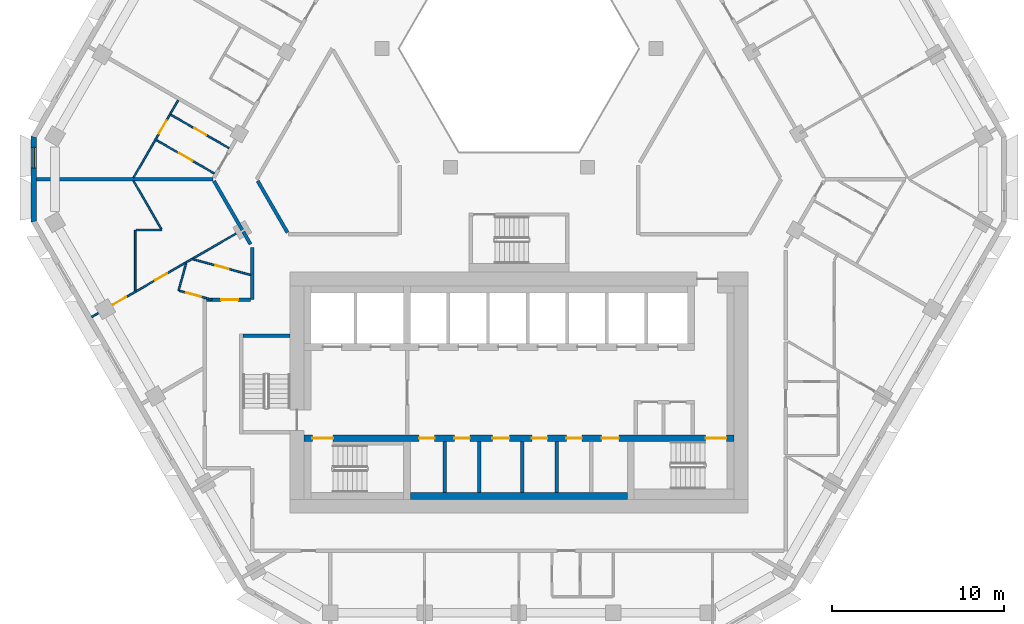
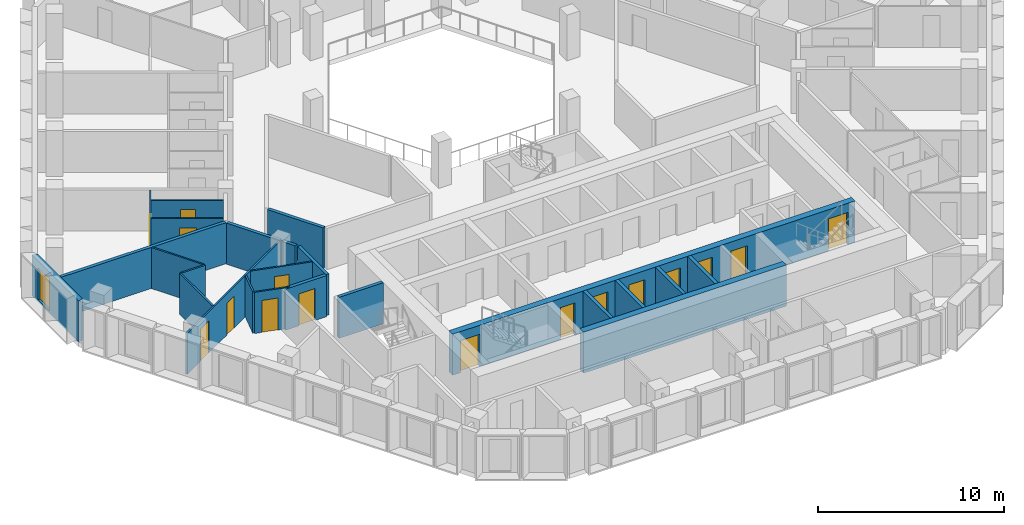
# One storey, part 4 of 15: 24 walls, 16 doors, 1 window, 17 openings.
"""IFC4 building model written with IfcOpenShell, lengths in metres."""

from ifc_helpers import new_model, si_unit, direction, frame, frame_2d, origin, place, context, subcontext, project, spatial, polyline, rectangle, outline, extrude, material, layer, layer_set, type_object, element, fill, save


model = new_model("IFC4")

# Units and contexts
model_context = context("Model", 3, precision=1e-05, world=origin(), true_north=direction((0.0, 1.0)))
body_context = subcontext(model_context, "Body", "Model", "MODEL_VIEW")
ifc_project = project(units=[si_unit("LENGTHUNIT", "METRE"), si_unit("AREAUNIT", "SQUARE_METRE"), si_unit("VOLUMEUNIT", "CUBIC_METRE"), si_unit("PLANEANGLEUNIT", "RADIAN"), si_unit("MASSUNIT", "GRAM", prefix="KILO")], contexts=[model_context])

# Site, building, storey
site_placement = place(None, origin())
site = spatial("IfcSite", under=ifc_project, at=site_placement, CompositionType="ELEMENT")
building_placement = place(site_placement, origin())
building = spatial("IfcBuilding", under=site, at=building_placement, Name="Beryl Residences", CompositionType="ELEMENT")
storey_placement = place(building_placement, frame((0.0, 0.0, 141.60009765625)))
storey = spatial("IfcBuildingStorey", under=building, at=storey_placement, Name="L43", CompositionType="ELEMENT", Elevation=141.60009765625)

# Wall, opening, window
ifc_material_1 = material(Name="Composite metal panel with mineral wool insulation")
ifc_layer_1 = layer(ifc_material_1, 0.300048828125)
ifc_layer_set_1 = layer_set([ifc_layer_1], Name="ES1 pale metal composite panel wall 300 mm")
wall_type_1 = type_object("IfcWallType", Name="ES1 pale metal composite panel wall 300 mm", PredefinedType="SOLIDWALL", material=ifc_layer_set_1)
wall_1_placement = place(storey_placement, frame((-28.197998046875, 2.89990234375, 0.0), z_axis=(0.0, 0.0, 1.0), x_axis=(0.0, -1.0, 0.0)))
wall_1 = element("IfcWall", 1, at=wall_1_placement, inside=storey, type_object=wall_type_1, Name="ES1 external wall L43 NW-SW", PredefinedType="SOLIDWALL", context=body_context, shape_type="SweptSolid", body=[
    extrude(outline(polyline([(0.0, -0.14990234375), (5.0, -0.14990234375), (4.919677734375, 0.14990234375), (0.080322265625, 0.14990234375), (0.0, -0.14990234375)])), origin(), (0.0, 0.0, 1.0), 2.699951171875),
])
opening_1_placement = place(wall_1_placement, frame((0.64990234375, 0.0, 0.14990234375)))
opening_1 = element("IfcOpeningElement", 2, at=opening_1_placement, cuts=wall_1, Name="Opening W2", PredefinedType="OPENING", context=body_context, shape_type="SweptSolid", body=[
    extrude(rectangle(XDim=1.199951171875, YDim=2.10009765625, at=frame_2d((0.60009765625, 1.050048828125))), frame((0.0, 0.159912109375, 0.0), z_axis=(0.0, -1.0, 0.0), x_axis=(1.0, 0.0, 0.0)), (0.0, 0.0, 1.0), 0.320068359375),
])
ifc_material_2 = material(Name="Aluminium and clear glass", Category="aluminium")
window_type = type_object("IfcWindowType", Name="W2 chamfer window 1200 x 2100 mm", PartitioningType="SINGLE_PANEL", PredefinedType="WINDOW", material=ifc_material_2)
window_placement = place(opening_1_placement, origin())
window = element("IfcWindow", 3, at=window_placement, inside=storey, type_object=window_type, Name="W2 window L43 NW-SW 1", OverallHeight=2.10009765625, OverallWidth=1.199951171875, PartitioningType="SINGLE_PANEL", PredefinedType="WINDOW", context=body_context, shape_type="SweptSolid", body=[
    extrude(rectangle(XDim=1.199951171875, YDim=2.10009765625, at=frame_2d((0.60009765625, 1.050048828125))), frame((0.0, 0.030029296875, 0.0), z_axis=(0.0, -1.0, 0.0), x_axis=(1.0, 0.0, 0.0)), (0.0, 0.0, 1.0), 0.06005859375),
])
fill(opening_1, window)

# Wall
ifc_material_3 = material(Name="Gypsum board partition on steel studs", Category="steel")
ifc_layer_2 = layer(ifc_material_3, 0.10009765625)
ifc_layer_set_2 = layer_set([ifc_layer_2], Name="PT1 partition 100 mm gypsum board on steel studs")
wall_type_2 = type_object("IfcWallType", Name="PT1 partition 100 mm gypsum board on steel studs", PredefinedType="PARTITIONING", material=ifc_layer_set_2)
wall_2_placement = place(storey_placement, frame((-22.39794921875, 0.299072265625, 0.0), z_axis=(0.0, 0.0, 1.0), x_axis=(0.50004249738, -0.86600086652, 0.0)))
element("IfcWall", 4, at=wall_2_placement, inside=storey, type_object=wall_type_2, Name="Wall PT1 L43 002", PredefinedType="PARTITIONING", context=body_context, shape_type="SweptSolid", body=[
    extrude(rectangle(XDim=3.235595703125, YDim=0.10009765625, at=frame_2d((1.61767578125, 0.0))), origin(), (0.0, 0.0, 1.0), 2.699951171875),
])

# Wall, opening, door
wall_3_placement = place(storey_placement, frame((-18.930908203125, -4.2529296875, 0.0), z_axis=(0.0, 0.0, 1.0), x_axis=(0.96479645258, -0.262997728296, 0.0)))
wall_3 = element("IfcWall", 5, at=wall_3_placement, inside=storey, type_object=wall_type_2, Name="Wall PT1 L43 007", PredefinedType="PARTITIONING", context=body_context, shape_type="SweptSolid", body=[
    extrude(rectangle(XDim=3.452392578125, YDim=0.10009765625, at=frame_2d((1.72607421875, 0.0))), origin(), (0.0, 0.0, 1.0), 2.699951171875),
])
opening_2_placement = place(wall_3_placement, frame((1.343017578125, 0.0, 0.0)))
opening_2 = element("IfcOpeningElement", 6, at=opening_2_placement, cuts=wall_3, Name="Opening D1349", PredefinedType="OPENING", context=body_context, shape_type="SweptSolid", body=[
    extrude(rectangle(XDim=0.800048828125, YDim=2.10009765625, at=frame_2d((0.39990234375, 1.050048828125))), frame((0.0, 0.06005859375, 0.0), z_axis=(0.0, -1.0, 0.0), x_axis=(1.0, 0.0, 0.0)), (0.0, 0.0, 1.0), 0.1201171875),
])
ifc_material_4 = material(Name="Timber door leaf", Category="wood")
door_type_1 = type_object("IfcDoorType", Name="D3 bathroom door 800 x 2100 mm", OperationType="SINGLE_SWING_LEFT", PredefinedType="DOOR", material=ifc_material_4)
door_1_placement = place(opening_2_placement, origin())
door_1 = element("IfcDoor", 7, at=door_1_placement, inside=storey, type_object=door_type_1, Name="Door D1349 L43 001", OperationType="SINGLE_SWING_LEFT", OverallHeight=2.10009765625, OverallWidth=0.800048828125, PredefinedType="DOOR", context=body_context, shape_type="SweptSolid", body=[
    extrude(rectangle(XDim=0.800048828125, YDim=2.10009765625, at=frame_2d((0.39990234375, 1.050048828125))), frame((0.0, 0.02490234375, 0.0), z_axis=(0.0, -1.0, 0.0), x_axis=(1.0, 0.0, 0.0)), (0.0, 0.0, 1.0), 0.050048828125),
])
fill(opening_2, door_1)

wall_4_placement = place(storey_placement, frame((-19.72998046875, -6.0869140625, 0.0), z_axis=(0.0, 0.0, 1.0), x_axis=(0.964700186442, -0.263350622325, 0.0)))
wall_4 = element("IfcWall", 8, at=wall_4_placement, inside=storey, type_object=wall_type_2, Name="Wall PT1 L43 008", PredefinedType="PARTITIONING", context=body_context, shape_type="SweptSolid", body=[
    extrude(rectangle(XDim=1.94873046875, YDim=0.10009765625, at=frame_2d((0.974365234375, 0.0))), origin(), (0.0, 0.0, 1.0), 2.699951171875),
])
opening_3_placement = place(wall_4_placement, frame((0.39892578125, 0.0, 0.0)))
opening_3 = element("IfcOpeningElement", 9, at=opening_3_placement, cuts=wall_4, Name="Opening D1350", PredefinedType="OPENING", context=body_context, shape_type="SweptSolid", body=[
    extrude(rectangle(XDim=0.89990234375, YDim=2.10009765625, at=frame_2d((0.449951171875, 1.050048828125))), frame((0.0, 0.06005859375, 0.0), z_axis=(0.0, -1.0, 0.0), x_axis=(1.0, 0.0, 0.0)), (0.0, 0.0, 1.0), 0.1201171875),
])
ifc_material_5 = material(Name="Timber door leaf", Category="wood")
door_type_2 = type_object("IfcDoorType", Name="D2 room door 900 x 2100 mm", OperationType="SINGLE_SWING_LEFT", PredefinedType="DOOR", material=ifc_material_5)
door_2_placement = place(opening_3_placement, origin())
door_2 = element("IfcDoor", 10, at=door_2_placement, inside=storey, type_object=door_type_2, Name="Door D1350 L43 001", OperationType="SINGLE_SWING_RIGHT", OverallHeight=2.10009765625, OverallWidth=0.89990234375, PredefinedType="DOOR", context=body_context, shape_type="SweptSolid", body=[
    extrude(rectangle(XDim=0.89990234375, YDim=2.10009765625, at=frame_2d((0.449951171875, 1.050048828125))), frame((0.0, 0.02490234375, 0.0), z_axis=(0.0, -1.0, 0.0), x_axis=(1.0, 0.0, 0.0)), (0.0, 0.0, 1.0), 0.050048828125),
])
fill(opening_3, door_2)

wall_5_placement = place(storey_placement, frame((-20.23291015625, 4.14892578125, 0.0), z_axis=(0.0, 0.0, 1.0), x_axis=(0.867293167797, -0.497797711016, 0.0)))
wall_5 = element("IfcWall", 11, at=wall_5_placement, inside=storey, type_object=wall_type_2, Name="Wall PT1 L43 011", PredefinedType="PARTITIONING", context=body_context, shape_type="SweptSolid", body=[
    extrude(rectangle(XDim=3.89697265625, YDim=0.10009765625, at=frame_2d((1.948486328125, 0.0))), origin(), (0.0, 0.0, 1.0), 2.699951171875),
])
opening_4_placement = place(wall_5_placement, frame((1.573974609375, 0.0, 0.0)))
opening_4 = element("IfcOpeningElement", 12, at=opening_4_placement, cuts=wall_5, Name="Opening D1345", PredefinedType="OPENING", context=body_context, shape_type="SweptSolid", body=[
    extrude(rectangle(XDim=0.800048828125, YDim=2.10009765625, at=frame_2d((0.39990234375, 1.050048828125))), frame((0.0, 0.06005859375, 0.0), z_axis=(0.0, -1.0, 0.0), x_axis=(1.0, 0.0, 0.0)), (0.0, 0.0, 1.0), 0.1201171875),
])
door_3_placement = place(opening_4_placement, origin())
door_3 = element("IfcDoor", 13, at=door_3_placement, inside=storey, type_object=door_type_1, Name="Door D1345 L43 001", OperationType="SINGLE_SWING_LEFT", OverallHeight=2.10009765625, OverallWidth=0.800048828125, PredefinedType="DOOR", context=body_context, shape_type="SweptSolid", body=[
    extrude(rectangle(XDim=0.800048828125, YDim=2.10009765625, at=frame_2d((0.39990234375, 1.050048828125))), frame((0.0, 0.02490234375, 0.0), z_axis=(0.0, -1.0, 0.0), x_axis=(1.0, 0.0, 0.0)), (0.0, 0.0, 1.0), 0.050048828125),
])
fill(opening_4, door_3)

wall_6_placement = place(storey_placement, frame((-21.0830078125, 2.677001953125, 0.0), z_axis=(0.0, 0.0, 1.0), x_axis=(0.867308690764, -0.497770664991, 0.0)))
wall_6 = element("IfcWall", 14, at=wall_6_placement, inside=storey, type_object=wall_type_2, Name="Wall PT1 L43 012", PredefinedType="PARTITIONING", context=body_context, shape_type="SweptSolid", body=[
    extrude(rectangle(XDim=3.897216796875, YDim=0.10009765625, at=frame_2d((1.94873046875, 0.0))), origin(), (0.0, 0.0, 1.0), 2.699951171875),
])
opening_5_placement = place(wall_6_placement, frame((1.52392578125, 0.0, 0.0)))
opening_5 = element("IfcOpeningElement", 15, at=opening_5_placement, cuts=wall_6, Name="Opening D1346", PredefinedType="OPENING", context=body_context, shape_type="SweptSolid", body=[
    extrude(rectangle(XDim=0.89990234375, YDim=2.10009765625, at=frame_2d((0.449951171875, 1.050048828125))), frame((0.0, 0.06005859375, 0.0), z_axis=(0.0, -1.0, 0.0), x_axis=(1.0, 0.0, 0.0)), (0.0, 0.0, 1.0), 0.1201171875),
])
door_4_placement = place(opening_5_placement, origin())
door_4 = element("IfcDoor", 16, at=door_4_placement, inside=storey, type_object=door_type_2, Name="Door D1346 L43 001", OperationType="SINGLE_SWING_RIGHT", OverallHeight=2.10009765625, OverallWidth=0.89990234375, PredefinedType="DOOR", context=body_context, shape_type="SweptSolid", body=[
    extrude(rectangle(XDim=0.89990234375, YDim=2.10009765625, at=frame_2d((0.449951171875, 1.050048828125))), frame((0.0, 0.02490234375, 0.0), z_axis=(0.0, -1.0, 0.0), x_axis=(1.0, 0.0, 0.0)), (0.0, 0.0, 1.0), 0.050048828125),
])
fill(opening_5, door_4)

# Wall
wall_7_placement = place(storey_placement, frame((-22.24609375, -2.552978515625, 0.0), z_axis=(0.0, 0.0, 1.0), x_axis=(1.0, 0.0, 0.0)))
element("IfcWall", 17, at=wall_7_placement, inside=storey, type_object=wall_type_2, Name="Wall PT1 L43 024", PredefinedType="PARTITIONING", context=body_context, shape_type="SweptSolid", body=[
    extrude(rectangle(XDim=1.4951171875, YDim=0.10009765625, at=frame_2d((0.74755859375, 0.0))), origin(), (0.0, 0.0, 1.0), 2.699951171875),
])

# Wall, opening, door
wall_8_placement = place(storey_placement, frame((-22.39794921875, 0.4990234375, 0.0), z_axis=(0.0, 0.0, 1.0), x_axis=(0.499984806807, 0.866034175401, 0.0)))
wall_8 = element("IfcWall", 18, at=wall_8_placement, inside=storey, type_object=wall_type_2, Name="Wall PT1 L43 033", PredefinedType="PARTITIONING", context=body_context, shape_type="SweptSolid", body=[
    extrude(rectangle(XDim=5.182373046875, YDim=0.10009765625, at=frame_2d((2.59130859375, 0.0))), origin(), (0.0, 0.0, 1.0), 2.699951171875),
])
opening_6_placement = place(wall_8_placement, frame((2.943115234375, 0.0, 0.0)))
opening_6 = element("IfcOpeningElement", 19, at=opening_6_placement, cuts=wall_8, Name="Opening D1347", PredefinedType="OPENING", context=body_context, shape_type="SweptSolid", body=[
    extrude(rectangle(XDim=0.89990234375, YDim=2.10009765625, at=frame_2d((0.449951171875, 1.050048828125))), frame((0.0, 0.06005859375, 0.0), z_axis=(0.0, -1.0, 0.0), x_axis=(1.0, 0.0, 0.0)), (0.0, 0.0, 1.0), 0.1201171875),
])
door_5_placement = place(opening_6_placement, origin())
door_5 = element("IfcDoor", 20, at=door_5_placement, inside=storey, type_object=door_type_2, Name="Door D1347 L43 001", OperationType="SINGLE_SWING_LEFT", OverallHeight=2.10009765625, OverallWidth=0.89990234375, PredefinedType="DOOR", context=body_context, shape_type="SweptSolid", body=[
    extrude(rectangle(XDim=0.89990234375, YDim=2.10009765625, at=frame_2d((0.449951171875, 1.050048828125))), frame((0.0, 0.02490234375, 0.0), z_axis=(0.0, -1.0, 0.0), x_axis=(1.0, 0.0, 0.0)), (0.0, 0.0, 1.0), 0.050048828125),
])
fill(opening_6, door_5)

# Walls
wall_9_placement = place(storey_placement, frame((-19.779052734375, -6.072998046875, 0.0), z_axis=(0.0, 0.0, 1.0), x_axis=(0.262700832967, 0.964877335395, 0.0)))
element("IfcWall", 21, at=wall_9_placement, inside=storey, type_object=wall_type_2, Name="Wall PT1 L43 035", PredefinedType="PARTITIONING", context=body_context, shape_type="SweptSolid", body=[
    extrude(rectangle(XDim=1.636474609375, YDim=0.10009765625, at=frame_2d((0.818359375, 0.0))), origin(), (0.0, 0.0, 1.0), 2.699951171875),
])
wall_10_placement = place(storey_placement, frame((-22.297119140625, -6.0810546875, 0.0), z_axis=(0.0, 0.0, 1.0), x_axis=(0.0, 1.0, 0.0)))
element("IfcWall", 22, at=wall_10_placement, inside=storey, type_object=wall_type_2, Name="Wall PT1 L43 046", PredefinedType="PARTITIONING", context=body_context, shape_type="SweptSolid", body=[
    extrude(rectangle(XDim=3.527099609375, YDim=0.10009765625, at=frame_2d((1.763671875, 0.0))), origin(), (0.0, 0.0, 1.0), 2.699951171875),
])

# Wall, openings, doors
wall_11_placement = place(storey_placement, frame((-24.825927734375, -7.59912109375, 0.0), z_axis=(0.0, 0.0, 1.0), x_axis=(0.866020686789, 0.500008169986, 0.0)))
wall_11 = element("IfcWall", 23, at=wall_11_placement, inside=storey, type_object=wall_type_2, Name="Wall PT1 L43 050", PredefinedType="PARTITIONING", context=body_context, shape_type="SweptSolid", body=[
    extrude(rectangle(XDim=10.010009765625, YDim=0.10009765625, at=frame_2d((5.0048828125, 0.0))), origin(), (0.0, 0.0, 1.0), 2.699951171875),
])
opening_7_placement = place(wall_11_placement, frame((4.243896484375, 0.0, 0.0)))
opening_7 = element("IfcOpeningElement", 24, at=opening_7_placement, cuts=wall_11, Name="Opening D1351", PredefinedType="OPENING", context=body_context, shape_type="SweptSolid", body=[
    extrude(rectangle(XDim=0.800048828125, YDim=2.10009765625, at=frame_2d((0.39990234375, 1.050048828125))), frame((0.0, 0.06005859375, 0.0), z_axis=(0.0, -1.0, 0.0), x_axis=(1.0, 0.0, 0.0)), (0.0, 0.0, 1.0), 0.1201171875),
])
opening_8_placement = place(wall_11_placement, frame((1.409912109375, 0.0, 0.0)))
opening_8 = element("IfcOpeningElement", 25, at=opening_8_placement, cuts=wall_11, Name="Opening D1352", PredefinedType="OPENING", context=body_context, shape_type="SweptSolid", body=[
    extrude(rectangle(XDim=0.89990234375, YDim=2.10009765625, at=frame_2d((0.449951171875, 1.050048828125))), frame((0.0, 0.06005859375, 0.0), z_axis=(0.0, -1.0, 0.0), x_axis=(1.0, 0.0, 0.0)), (0.0, 0.0, 1.0), 0.1201171875),
])
door_6_placement = place(opening_8_placement, origin())
door_6 = element("IfcDoor", 26, at=door_6_placement, inside=storey, type_object=door_type_2, Name="Door D1352 L43 001", OperationType="SINGLE_SWING_RIGHT", OverallHeight=2.10009765625, OverallWidth=0.89990234375, PredefinedType="DOOR", context=body_context, shape_type="SweptSolid", body=[
    extrude(rectangle(XDim=0.89990234375, YDim=2.10009765625, at=frame_2d((0.449951171875, 1.050048828125))), frame((0.0, 0.02490234375, 0.0), z_axis=(0.0, -1.0, 0.0), x_axis=(1.0, 0.0, 0.0)), (0.0, 0.0, 1.0), 0.050048828125),
])
fill(opening_8, door_6)
door_7_placement = place(opening_7_placement, origin())
door_7 = element("IfcDoor", 27, at=door_7_placement, inside=storey, type_object=door_type_1, Name="Door D1351 L43 001", OperationType="SINGLE_SWING_LEFT", OverallHeight=2.10009765625, OverallWidth=0.800048828125, PredefinedType="DOOR", context=body_context, shape_type="SweptSolid", body=[
    extrude(rectangle(XDim=0.800048828125, YDim=2.10009765625, at=frame_2d((0.39990234375, 1.050048828125))), frame((0.0, 0.02490234375, 0.0), z_axis=(0.0, -1.0, 0.0), x_axis=(1.0, 0.0, 0.0)), (0.0, 0.0, 1.0), 0.050048828125),
])
fill(opening_7, door_7)

# Walls
ifc_material_6 = material(Name="Acoustic double stud gypsum board wall")
ifc_layer_3 = layer(ifc_material_6, 0.199951171875)
ifc_layer_set_3 = layer_set([ifc_layer_3], Name="PT3 party wall 200 mm acoustic double stud")
wall_type_3 = type_object("IfcWallType", Name="PT3 party wall 200 mm acoustic double stud", PredefinedType="PARTITIONING", material=ifc_layer_set_3)
wall_12_placement = place(storey_placement, frame((-28.048095703125, 0.39892578125, 0.0), z_axis=(0.0, 0.0, 1.0), x_axis=(1.0, 0.0, 0.0)))
element("IfcWall", 28, at=wall_12_placement, inside=storey, type_object=wall_type_3, Name="Wall PT3 L43 006", PredefinedType="PARTITIONING", context=body_context, shape_type="SweptSolid", body=[
    extrude(rectangle(XDim=10.26611328125, YDim=0.199951171875, at=frame_2d((5.133056640625, 0.0))), origin(), (0.0, 0.0, 1.0), 2.699951171875),
])
ifc_material_7 = material(Name="Double stud gypsum board wall")
ifc_layer_4 = layer(ifc_material_7, 0.199951171875)
ifc_layer_set_4 = layer_set([ifc_layer_4], Name="PT4 corridor wall 200 mm double stud")
wall_type_4 = type_object("IfcWallType", Name="PT4 corridor wall 200 mm double stud", PredefinedType="PARTITIONING", material=ifc_layer_set_4)
wall_13_placement = place(storey_placement, frame((-15.18408203125, 0.299072265625, 0.0), z_axis=(0.0, 0.0, 1.0), x_axis=(0.500149577091, -0.865939028186, 0.0)))
element("IfcWall", 29, at=wall_13_placement, inside=storey, type_object=wall_type_4, Name="Wall PT4 L43 002", PredefinedType="PARTITIONING", context=body_context, shape_type="SweptSolid", body=[
    extrude(rectangle(XDim=3.46337890625, YDim=0.199951171875, at=frame_2d((1.731689453125, 0.0))), origin(), (0.0, 0.0, 1.0), 2.699951171875),
])
wall_14_placement = place(storey_placement, frame((-17.72412109375, 0.299072265625, 0.0), z_axis=(0.0, 0.0, 1.0), x_axis=(0.499923815713, -0.866069384335, 0.0)))
element("IfcWall", 30, at=wall_14_placement, inside=storey, type_object=wall_type_4, Name="Wall PT4 L43 003", PredefinedType="PARTITIONING", context=body_context, shape_type="SweptSolid", body=[
    extrude(rectangle(XDim=3.28857421875, YDim=0.199951171875, at=frame_2d((1.644287109375, 0.0))), origin(), (0.0, 0.0, 1.0), 2.699951171875),
])
wall_15_placement = place(storey_placement, frame((-16.02001953125, -2.652099609375, 0.0), z_axis=(0.0, 0.0, 1.0), x_axis=(0.499764376199, -0.866161398518, 0.0)))
element("IfcWall", 31, at=wall_15_placement, inside=storey, type_object=wall_type_4, Name="Wall PT4 L43 004", PredefinedType="PARTITIONING", context=body_context, shape_type="SweptSolid", body=[
    extrude(rectangle(XDim=0.84033203125, YDim=0.199951171875, at=frame_2d((0.420166015625, 0.0))), origin(), (0.0, 0.0, 1.0), 2.699951171875),
])

# Wall, opening, door
wall_16_placement = place(storey_placement, frame((-18.14892578125, -6.60009765625, 0.0), z_axis=(0.0, 0.0, 1.0), x_axis=(1.0, 0.0, 0.0)))
wall_16 = element("IfcWall", 32, at=wall_16_placement, inside=storey, type_object=wall_type_4, Name="Wall PT4 L43 009", PredefinedType="PARTITIONING", context=body_context, shape_type="SweptSolid", body=[
    extrude(rectangle(XDim=2.548828125, YDim=0.199951171875, at=frame_2d((1.2744140625, 0.0))), origin(), (0.0, 0.0, 1.0), 2.699951171875),
])
opening_9_placement = place(wall_16_placement, frame((0.833984375, 0.0, 0.0)))
opening_9 = element("IfcOpeningElement", 33, at=opening_9_placement, cuts=wall_16, Name="Opening D1348", PredefinedType="OPENING", context=body_context, shape_type="SweptSolid", body=[
    extrude(rectangle(XDim=1.0, YDim=2.10009765625, at=frame_2d((0.5, 1.050048828125))), frame((0.0, 0.10986328125, 0.0), z_axis=(0.0, -1.0, 0.0), x_axis=(1.0, 0.0, 0.0)), (0.0, 0.0, 1.0), 0.219970703125),
])
ifc_material_8 = material(Name="Timber door leaf", Category="wood")
door_type_3 = type_object("IfcDoorType", Name="D1 flat entrance door 1000 x 2100 mm", OperationType="SINGLE_SWING_LEFT", PredefinedType="DOOR", material=ifc_material_8)
door_8_placement = place(opening_9_placement, origin())
door_8 = element("IfcDoor", 34, at=door_8_placement, inside=storey, type_object=door_type_3, Name="Door D1348 L43 001", OperationType="SINGLE_SWING_RIGHT", OverallHeight=2.10009765625, OverallWidth=1.0, PredefinedType="DOOR", context=body_context, shape_type="SweptSolid", body=[
    extrude(rectangle(XDim=1.0, YDim=2.10009765625, at=frame_2d((0.5, 1.050048828125))), frame((0.0, 0.02490234375, 0.0), z_axis=(0.0, -1.0, 0.0), x_axis=(1.0, 0.0, 0.0)), (0.0, 0.0, 1.0), 0.050048828125),
])
fill(opening_9, door_8)

# Walls
wall_17_placement = place(storey_placement, frame((-15.5, -6.60009765625, 0.0), z_axis=(0.0, 0.0, 1.0), x_axis=(0.0, 1.0, 0.0)))
element("IfcWall", 35, at=wall_17_placement, inside=storey, type_object=wall_type_4, Name="Wall PT4 L43 028", PredefinedType="PARTITIONING", context=body_context, shape_type="SweptSolid", body=[
    extrude(rectangle(XDim=3.047119140625, YDim=0.199951171875, at=frame_2d((1.5234375, 0.0))), origin(), (0.0, 0.0, 1.0), 2.699951171875),
])
ifc_material_9 = material(Name="Concrete C40/50", Category="concrete")
ifc_layer_5 = layer(ifc_material_9, 0.199951171875)
ifc_layer_set_5 = layer_set([ifc_layer_5], Name="PT5 stair enclosure wall 200 mm reinforced concrete C40/50")
wall_type_5 = type_object("IfcWallType", Name="PT5 stair enclosure wall 200 mm reinforced concrete C40/50", PredefinedType="SOLIDWALL", material=ifc_layer_set_5)
wall_18_placement = place(storey_placement, frame((-16.050048828125, -8.699951171875, 0.0), z_axis=(0.0, 0.0, 1.0), x_axis=(1.0, 0.0, 0.0)))
element("IfcWall", 36, at=wall_18_placement, inside=storey, type_object=wall_type_5, Name="Stair wall 03", PredefinedType="SOLIDWALL", context=body_context, shape_type="SweptSolid", body=[
    extrude(rectangle(XDim=2.75, YDim=0.199951171875, at=frame_2d((1.375, 0.0))), origin(), (0.0, 0.0, 1.0), 2.699951171875),
])
ifc_material_10 = material(Name="Concrete masonry", Category="masonry")
ifc_layer_6 = layer(ifc_material_10, 0.199951171875)
ifc_layer_set_6 = layer_set([ifc_layer_6], Name="PT8-200 service room wall 200 mm")
wall_type_6 = type_object("IfcWallType", Name="PT8-200 service room wall 200 mm", PredefinedType="PARTITIONING", material=ifc_layer_set_6)
for number, where, z_axis, x_axis, name in (
    (37, (-4.300048828125, -17.800048828125, 0.0), (0.0, 0.0, 1.0), (0.0, 1.0, 0.0), "Core room wall 14"),
    (38, (-2.300048828125, -17.800048828125, 0.0), (0.0, 0.0, 1.0), (0.0, 1.0, 0.0), "Core room wall 16"),
    (39, (0.199951171875, -17.800048828125, 0.0), (0.0, 0.0, 1.0), (0.0, 1.0, 0.0), "Core room wall 18"),
    (40, (2.199951171875, -17.800048828125, 0.0), (0.0, 0.0, 1.0), (0.0, 1.0, 0.0), "Core room wall 20"),
):
    element("IfcWall", number, at=place(storey_placement, frame(where, z_axis=z_axis, x_axis=x_axis)), inside=storey, type_object=wall_type_6, Name=name, PredefinedType="PARTITIONING", context=body_context, shape_type="SweptSolid", body=[
        extrude(rectangle(XDim=2.949951171875, YDim=0.199951171875, at=frame_2d((1.47509765625, 0.0))), origin(), (0.0, 0.0, 1.0), 2.699951171875),
    ])
ifc_material_11 = material(Name="Concrete masonry", Category="masonry")
ifc_layer_7 = layer(ifc_material_11, 0.39990234375)
ifc_layer_set_7 = layer_set([ifc_layer_7], Name="PT8-400 service room wall 400 mm")
wall_type_7 = type_object("IfcWallType", Name="PT8-400 service room wall 400 mm", PredefinedType="PARTITIONING", material=ifc_layer_set_7)
wall_19_placement = place(storey_placement, frame((-6.300048828125, -18.0, 0.0), z_axis=(0.0, 0.0, 1.0), x_axis=(1.0, 0.0, 0.0)))
element("IfcWall", 41, at=wall_19_placement, inside=storey, type_object=wall_type_7, Name="Core room wall 12", PredefinedType="PARTITIONING", context=body_context, shape_type="SweptSolid", body=[
    extrude(rectangle(XDim=12.60009765625, YDim=0.39990234375, at=frame_2d((6.300048828125, 0.0))), origin(), (0.0, 0.0, 1.0), 2.699951171875),
])

# Wall, openings, doors
ifc_material_12 = material(Name="Concrete C60/75", Category="concrete")
ifc_layer_8 = layer(ifc_material_12, 0.39990234375)
ifc_layer_set_8 = layer_set([ifc_layer_8], Name="SW8 core internal wall 400 mm C60/75")
wall_type_8 = type_object("IfcWallType", Name="SW8 core internal wall 400 mm C60/75", PredefinedType="SHEAR", material=ifc_layer_set_8)
wall_20_placement = place(storey_placement, frame((-12.5, -14.64990234375, 0.0), z_axis=(0.0, 0.0, 1.0), x_axis=(1.0, 0.0, 0.0)))
wall_20 = element("IfcWall", 42, at=wall_20_placement, inside=storey, type_object=wall_type_8, Name="Core wall SP1 L43", PredefinedType="SHEAR", context=body_context, shape_type="SweptSolid", body=[
    extrude(rectangle(XDim=25.0, YDim=0.39990234375, at=frame_2d((12.5, 0.0))), origin(), (0.0, 0.0, 1.0), 2.699951171875),
])
opening_10_placement = place(wall_20_placement, frame((1.699951171875, 0.0, 0.0), z_axis=(0.0, 0.0, 1.0), x_axis=(-1.0, 0.0, 0.0)))
opening_10 = element("IfcOpeningElement", 43, at=opening_10_placement, cuts=wall_20, Name="Opening SD-1", PredefinedType="OPENING", context=body_context, shape_type="SweptSolid", body=[
    extrude(rectangle(XDim=1.199951171875, YDim=2.10009765625, at=frame_2d((0.60009765625, 1.050048828125))), frame((0.0, 0.2099609375, 0.0), z_axis=(0.0, -1.0, 0.0), x_axis=(1.0, 0.0, 0.0)), (0.0, 0.0, 1.0), 0.419921875),
])
opening_11_placement = place(wall_20_placement, frame((24.550048828125, 0.0, 0.0), z_axis=(0.0, 0.0, 1.0), x_axis=(-1.0, 0.0, 0.0)))
opening_11 = element("IfcOpeningElement", 44, at=opening_11_placement, cuts=wall_20, Name="Opening SD-3", PredefinedType="OPENING", context=body_context, shape_type="SweptSolid", body=[
    extrude(rectangle(XDim=1.199951171875, YDim=2.10009765625, at=frame_2d((0.60009765625, 1.050048828125))), frame((0.0, 0.2099609375, 0.0), z_axis=(0.0, -1.0, 0.0), x_axis=(1.0, 0.0, 0.0)), (0.0, 0.0, 1.0), 0.419921875),
])
opening_12_placement = place(wall_20_placement, frame((7.599853515625, 0.0, 0.0), z_axis=(0.0, 0.0, 1.0), x_axis=(-1.0, 0.0, 0.0)))
opening_12 = element("IfcOpeningElement", 45, at=opening_12_placement, cuts=wall_20, Name="Opening CD-D-S1-900", PredefinedType="OPENING", context=body_context, shape_type="SweptSolid", body=[
    extrude(rectangle(XDim=0.89990234375, YDim=2.10009765625, at=frame_2d((0.449951171875, 1.050048828125))), frame((0.0, 0.2099609375, 0.0), z_axis=(0.0, -1.0, 0.0), x_axis=(1.0, 0.0, 0.0)), (0.0, 0.0, 1.0), 0.419921875),
])
opening_13_placement = place(wall_20_placement, frame((9.64990234375, 0.0, 0.0), z_axis=(0.0, 0.0, 1.0), x_axis=(-1.0, 0.0, 0.0)))
opening_13 = element("IfcOpeningElement", 46, at=opening_13_placement, cuts=wall_20, Name="Opening CD-D-S2-900", PredefinedType="OPENING", context=body_context, shape_type="SweptSolid", body=[
    extrude(rectangle(XDim=0.89990234375, YDim=2.10009765625, at=frame_2d((0.449951171875, 1.050048828125))), frame((0.0, 0.2099609375, 0.0), z_axis=(0.0, -1.0, 0.0), x_axis=(1.0, 0.0, 0.0)), (0.0, 0.0, 1.0), 0.419921875),
])
opening_14_placement = place(wall_20_placement, frame((11.949951171875, 0.0, 0.0), z_axis=(0.0, 0.0, 1.0), x_axis=(-1.0, 0.0, 0.0)))
opening_14 = element("IfcOpeningElement", 47, at=opening_14_placement, cuts=wall_20, Name="Opening CD-D-S3", PredefinedType="OPENING", context=body_context, shape_type="SweptSolid", body=[
    extrude(rectangle(XDim=1.0, YDim=2.10009765625, at=frame_2d((0.5, 1.050048828125))), frame((0.0, 0.2099609375, 0.0), z_axis=(0.0, -1.0, 0.0), x_axis=(1.0, 0.0, 0.0)), (0.0, 0.0, 1.0), 0.419921875),
])
opening_15_placement = place(wall_20_placement, frame((14.14990234375, 0.0, 0.0), z_axis=(0.0, 0.0, 1.0), x_axis=(-1.0, 0.0, 0.0)))
opening_15 = element("IfcOpeningElement", 48, at=opening_15_placement, cuts=wall_20, Name="Opening CD-D-S4-900", PredefinedType="OPENING", context=body_context, shape_type="SweptSolid", body=[
    extrude(rectangle(XDim=0.89990234375, YDim=2.10009765625, at=frame_2d((0.449951171875, 1.050048828125))), frame((0.0, 0.2099609375, 0.0), z_axis=(0.0, -1.0, 0.0), x_axis=(1.0, 0.0, 0.0)), (0.0, 0.0, 1.0), 0.419921875),
])
opening_16_placement = place(wall_20_placement, frame((16.14990234375, 0.0, 0.0), z_axis=(0.0, 0.0, 1.0), x_axis=(-1.0, 0.0, 0.0)))
opening_16 = element("IfcOpeningElement", 49, at=opening_16_placement, cuts=wall_20, Name="Opening CD-D-S5-900", PredefinedType="OPENING", context=body_context, shape_type="SweptSolid", body=[
    extrude(rectangle(XDim=0.89990234375, YDim=2.10009765625, at=frame_2d((0.449951171875, 1.050048828125))), frame((0.0, 0.2099609375, 0.0), z_axis=(0.0, -1.0, 0.0), x_axis=(1.0, 0.0, 0.0)), (0.0, 0.0, 1.0), 0.419921875),
])
opening_17_placement = place(wall_20_placement, frame((18.300048828125, 0.0, 0.0), z_axis=(0.0, 0.0, 1.0), x_axis=(-1.0, 0.0, 0.0)))
opening_17 = element("IfcOpeningElement", 50, at=opening_17_placement, cuts=wall_20, Name="Opening CD-D-S6", PredefinedType="OPENING", context=body_context, shape_type="SweptSolid", body=[
    extrude(rectangle(XDim=1.0, YDim=2.10009765625, at=frame_2d((0.5, 1.050048828125))), frame((0.0, 0.2099609375, 0.0), z_axis=(0.0, -1.0, 0.0), x_axis=(1.0, 0.0, 0.0)), (0.0, 0.0, 1.0), 0.419921875),
])
ifc_material_13 = material(Name="Steel door leaf in steel frame", Category="steel")
door_type_4 = type_object("IfcDoorType", Name="D18 service room door 1000 x 2100 mm", OperationType="SINGLE_SWING_LEFT", PredefinedType="DOOR", material=ifc_material_13)
door_9_placement = place(opening_14_placement, origin())
door_9 = element("IfcDoor", 51, at=door_9_placement, inside=storey, type_object=door_type_4, Name="Door CD-D-S3 L43 001", OperationType="SINGLE_SWING_RIGHT", OverallHeight=2.10009765625, OverallWidth=1.0, PredefinedType="DOOR", context=body_context, shape_type="SweptSolid", body=[
    extrude(rectangle(XDim=1.0, YDim=2.10009765625, at=frame_2d((0.5, 1.050048828125))), frame((0.0, 0.02490234375, 0.0), z_axis=(0.0, -1.0, 0.0), x_axis=(1.0, 0.0, 0.0)), (0.0, 0.0, 1.0), 0.050048828125),
])
fill(opening_14, door_9)
door_10_placement = place(opening_17_placement, origin())
door_10 = element("IfcDoor", 52, at=door_10_placement, inside=storey, type_object=door_type_4, Name="Door CD-D-S6 L43 001", OperationType="SINGLE_SWING_LEFT", OverallHeight=2.10009765625, OverallWidth=1.0, PredefinedType="DOOR", context=body_context, shape_type="SweptSolid", body=[
    extrude(rectangle(XDim=1.0, YDim=2.10009765625, at=frame_2d((0.5, 1.050048828125))), frame((0.0, 0.02490234375, 0.0), z_axis=(0.0, -1.0, 0.0), x_axis=(1.0, 0.0, 0.0)), (0.0, 0.0, 1.0), 0.050048828125),
])
fill(opening_17, door_10)
ifc_material_14 = material(Name="Steel door leaf in steel frame", Category="steel")
door_type_5 = type_object("IfcDoorType", Name="D4 stair door 1200 x 2100 mm", OperationType="SINGLE_SWING_LEFT", PredefinedType="DOOR", material=ifc_material_14)
door_11_placement = place(opening_10_placement, origin())
door_11 = element("IfcDoor", 53, at=door_11_placement, inside=storey, type_object=door_type_5, Name="Door SD-1 L43 001", OperationType="SINGLE_SWING_RIGHT", OverallHeight=2.10009765625, OverallWidth=1.199951171875, PredefinedType="DOOR", context=body_context, shape_type="SweptSolid", body=[
    extrude(rectangle(XDim=1.199951171875, YDim=2.10009765625, at=frame_2d((0.60009765625, 1.050048828125))), frame((0.0, 0.02490234375, 0.0), z_axis=(0.0, -1.0, 0.0), x_axis=(1.0, 0.0, 0.0)), (0.0, 0.0, 1.0), 0.050048828125),
])
fill(opening_10, door_11)
door_12_placement = place(opening_11_placement, origin())
door_12 = element("IfcDoor", 54, at=door_12_placement, inside=storey, type_object=door_type_5, Name="Door SD-3 L43 001", OperationType="SINGLE_SWING_RIGHT", OverallHeight=2.10009765625, OverallWidth=1.199951171875, PredefinedType="DOOR", context=body_context, shape_type="SweptSolid", body=[
    extrude(rectangle(XDim=1.199951171875, YDim=2.10009765625, at=frame_2d((0.60009765625, 1.050048828125))), frame((0.0, 0.02490234375, 0.0), z_axis=(0.0, -1.0, 0.0), x_axis=(1.0, 0.0, 0.0)), (0.0, 0.0, 1.0), 0.050048828125),
])
fill(opening_11, door_12)
ifc_material_15 = material(Name="Steel door leaf in steel frame", Category="steel")
door_type_6 = type_object("IfcDoorType", Name="D6 service room door 900 x 2100 mm", OperationType="SINGLE_SWING_LEFT", PredefinedType="DOOR", material=ifc_material_15)
door_13_placement = place(opening_12_placement, origin())
door_13 = element("IfcDoor", 55, at=door_13_placement, inside=storey, type_object=door_type_6, Name="Door CD-D-S1-900 L43 001", OperationType="SINGLE_SWING_RIGHT", OverallHeight=2.10009765625, OverallWidth=0.89990234375, PredefinedType="DOOR", context=body_context, shape_type="SweptSolid", body=[
    extrude(rectangle(XDim=0.89990234375, YDim=2.10009765625, at=frame_2d((0.449951171875, 1.050048828125))), frame((0.0, 0.02490234375, 0.0), z_axis=(0.0, -1.0, 0.0), x_axis=(1.0, 0.0, 0.0)), (0.0, 0.0, 1.0), 0.050048828125),
])
fill(opening_12, door_13)
door_14_placement = place(opening_13_placement, origin())
door_14 = element("IfcDoor", 56, at=door_14_placement, inside=storey, type_object=door_type_6, Name="Door CD-D-S2-900 L43 001", OperationType="SINGLE_SWING_LEFT", OverallHeight=2.10009765625, OverallWidth=0.89990234375, PredefinedType="DOOR", context=body_context, shape_type="SweptSolid", body=[
    extrude(rectangle(XDim=0.89990234375, YDim=2.10009765625, at=frame_2d((0.449951171875, 1.050048828125))), frame((0.0, 0.02490234375, 0.0), z_axis=(0.0, -1.0, 0.0), x_axis=(1.0, 0.0, 0.0)), (0.0, 0.0, 1.0), 0.050048828125),
])
fill(opening_13, door_14)
door_15_placement = place(opening_15_placement, origin())
door_15 = element("IfcDoor", 57, at=door_15_placement, inside=storey, type_object=door_type_6, Name="Door CD-D-S4-900 L43 001", OperationType="SINGLE_SWING_LEFT", OverallHeight=2.10009765625, OverallWidth=0.89990234375, PredefinedType="DOOR", context=body_context, shape_type="SweptSolid", body=[
    extrude(rectangle(XDim=0.89990234375, YDim=2.10009765625, at=frame_2d((0.449951171875, 1.050048828125))), frame((0.0, 0.02490234375, 0.0), z_axis=(0.0, -1.0, 0.0), x_axis=(1.0, 0.0, 0.0)), (0.0, 0.0, 1.0), 0.050048828125),
])
fill(opening_15, door_15)
door_16_placement = place(opening_16_placement, origin())
door_16 = element("IfcDoor", 58, at=door_16_placement, inside=storey, type_object=door_type_6, Name="Door CD-D-S5-900 L43 001", OperationType="SINGLE_SWING_RIGHT", OverallHeight=2.10009765625, OverallWidth=0.89990234375, PredefinedType="DOOR", context=body_context, shape_type="SweptSolid", body=[
    extrude(rectangle(XDim=0.89990234375, YDim=2.10009765625, at=frame_2d((0.449951171875, 1.050048828125))), frame((0.0, 0.02490234375, 0.0), z_axis=(0.0, -1.0, 0.0), x_axis=(1.0, 0.0, 0.0)), (0.0, 0.0, 1.0), 0.050048828125),
])
fill(opening_16, door_16)

save(model, "model.ifc")
